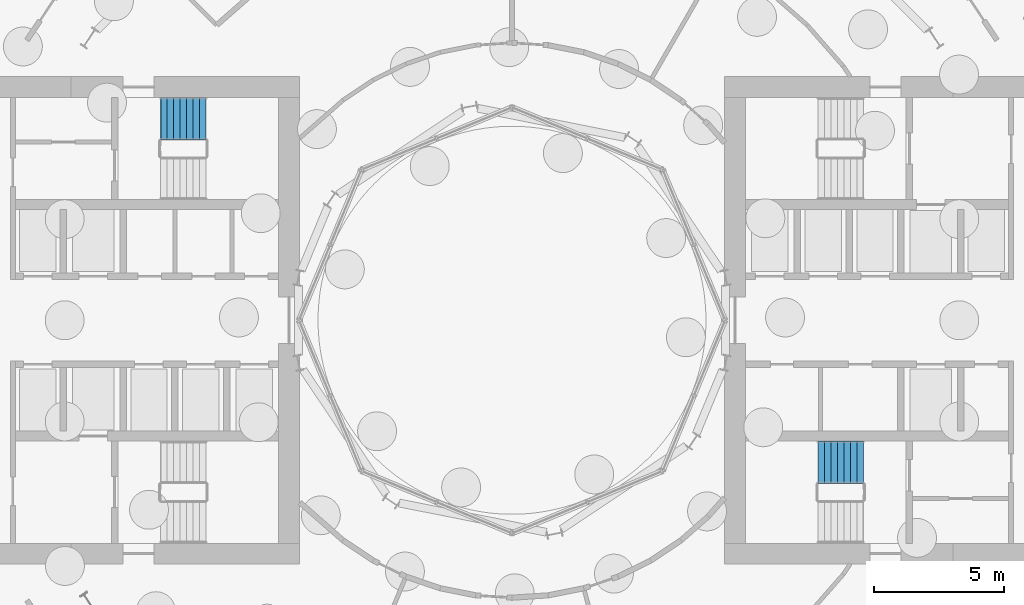
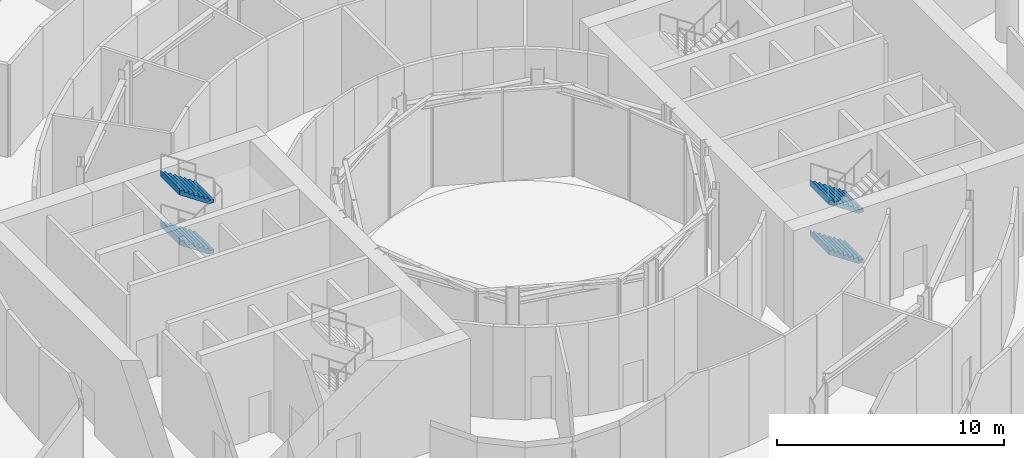
# One storey, part 34 of 41: 4 stair flights, 2 elements without a shape of their own.
"""IFC4 building model written with IfcOpenShell, lengths in metres."""

from ifc_helpers import new_model, si_unit, direction, frame, origin, place, context, subcontext, project, spatial, triangles, material, type_object, element, aggregate, save


model = new_model("IFC4")

# Units and contexts
model_context = context("Model", 3, precision=1e-05, world=origin(), true_north=direction((0.0, 1.0)))
body_context = subcontext(model_context, "Body", "Model", "MODEL_VIEW")
ifc_project = project(units=[si_unit("LENGTHUNIT", "METRE"), si_unit("AREAUNIT", "SQUARE_METRE"), si_unit("VOLUMEUNIT", "CUBIC_METRE"), si_unit("PLANEANGLEUNIT", "RADIAN"), si_unit("MASSUNIT", "GRAM", prefix="KILO")], contexts=[model_context])

# Site, building, storey
site_placement = place(None, origin())
site = spatial("IfcSite", under=ifc_project, at=site_placement, CompositionType="ELEMENT")
building_placement = place(site_placement, origin())
building = spatial("IfcBuilding", under=site, at=building_placement, Name="Maasbend Ring Residences", CompositionType="ELEMENT")
storey_placement = place(building_placement, origin())
storey = spatial("IfcBuildingStorey", under=building, at=storey_placement, Name="L00", CompositionType="ELEMENT", Elevation=0.0)

# Stair, stair flights
ifc_material_1 = material(Name="Concrete C40/50", Category="concrete")
stair_type = type_object("IfcStairType", Name="CORE STAIR 32 RISERS", PredefinedType="HALF_TURN_STAIR", material=ifc_material_1)
stair_1_placement = place(storey_placement, origin())
stair_1 = element("IfcStair", 1, at=stair_1_placement, inside=storey, type_object=stair_type, Name="L00 Exit stair ST-E2", PredefinedType="HALF_TURN_STAIR")
ifc_material_2 = material(Name="Concrete C40/50", Category="concrete")
stair_flight_type = type_object("IfcStairFlightType", Name="CORE STAIR FLIGHT 1650", PredefinedType="STRAIGHT", material=ifc_material_2)
stair_flight_1_placement = place(storey_placement, frame((13.550048828125, -5.47509765625, 0.0), z_axis=(0.0, 0.0, 1.0), x_axis=(-1.0, 0.0, 0.0)))
stair_flight_1 = element("IfcStairFlight", 2, at=stair_flight_1_placement, type_object=stair_flight_type, Name="ST-E2 flight 1", NumberOfRisers=8, NumberOfTreads=7, PredefinedType="STRAIGHT", RiserHeight=0.16875, TreadLength=0.25, context=body_context, shape_type="Tessellation", body=[
    triangles([(0.2412109375, 0.824951171875, -0.02001953125), (1.7529296875, 0.824951171875, 1.00048828125), (1.7529296875, 0.824951171875, 1.35009765625), (1.739990234375, 0.824951171875, 1.18115234375), (1.5, 0.824951171875, 1.18115234375), (1.5, 0.824951171875, 1.012451171875), (1.25, 0.824951171875, 1.012451171875), (1.25, 0.824951171875, 0.84375), (1.0, 0.824951171875, 0.84375), (1.0, 0.824951171875, 0.675048828125), (0.75, 0.824951171875, 0.675048828125), (0.75, 0.824951171875, 0.50634765625), (0.5, 0.824951171875, 0.50634765625), (0.5, 0.824951171875, 0.33740234375), (0.25, 0.824951171875, 0.33740234375), (0.25, 0.824951171875, 0.168701171875), (0.0, 0.824951171875, 0.168701171875), (0.0, 0.824951171875, 0.0), (-0.0029296875, 0.824951171875, 0.0), (-0.0029296875, 0.824951171875, -0.02001953125), (0.2412109375, 0.41259765625, -0.02001953125), (1.7529296875, 0.41259765625, 1.00048828125), (1.7529296875, 0.41259765625, 1.35009765625), (1.739990234375, 0.41259765625, 1.18115234375), (1.5, 0.41259765625, 1.18115234375), (1.5, 0.41259765625, 1.012451171875), (1.25, 0.41259765625, 1.012451171875), (1.25, 0.41259765625, 0.84375), (1.0, 0.41259765625, 0.84375), (1.0, 0.41259765625, 0.675048828125), (0.75, 0.41259765625, 0.675048828125), (0.75, 0.41259765625, 0.50634765625), (0.5, 0.41259765625, 0.50634765625), (0.5, 0.41259765625, 0.33740234375), (0.25, 0.41259765625, 0.33740234375), (0.25, 0.41259765625, 0.168701171875), (0.0, 0.41259765625, 0.168701171875), (0.0, 0.41259765625, 0.0), (-0.0029296875, 0.41259765625, 0.0), (-0.0029296875, 0.41259765625, -0.02001953125), (0.2412109375, 0.0, -0.02001953125), (1.7529296875, 0.0, 1.00048828125), (1.7529296875, 0.0, 1.35009765625), (1.739990234375, 0.0, 1.18115234375), (1.5, 0.0, 1.18115234375), (1.5, 0.0, 1.012451171875), (1.25, 0.0, 1.012451171875), (1.25, 0.0, 0.84375), (1.0, 0.0, 0.84375), (1.0, 0.0, 0.675048828125), (0.75, 0.0, 0.675048828125), (0.75, 0.0, 0.50634765625), (0.5, 0.0, 0.50634765625), (0.5, 0.0, 0.33740234375), (0.25, 0.0, 0.33740234375), (0.25, 0.0, 0.168701171875), (0.0, 0.0, 0.168701171875), (0.0, 0.0, 0.0), (-0.0029296875, 0.0, 0.0), (-0.0029296875, 0.0, -0.02001953125), (0.2412109375, -0.41259765625, -0.02001953125), (1.7529296875, -0.41259765625, 1.00048828125), (1.7529296875, -0.41259765625, 1.35009765625), (1.739990234375, -0.41259765625, 1.18115234375), (1.5, -0.41259765625, 1.18115234375), (1.5, -0.41259765625, 1.012451171875), (1.25, -0.41259765625, 1.012451171875), (1.25, -0.41259765625, 0.84375), (1.0, -0.41259765625, 0.84375), (1.0, -0.41259765625, 0.675048828125), (0.75, -0.41259765625, 0.675048828125), (0.75, -0.41259765625, 0.50634765625), (0.5, -0.41259765625, 0.50634765625), (0.5, -0.41259765625, 0.33740234375), (0.25, -0.41259765625, 0.33740234375), (0.25, -0.41259765625, 0.168701171875), (0.0, -0.41259765625, 0.168701171875), (0.0, -0.41259765625, 0.0), (-0.0029296875, -0.41259765625, 0.0), (-0.0029296875, -0.41259765625, -0.02001953125), (0.2412109375, -0.824951171875, -0.02001953125), (1.7529296875, -0.824951171875, 1.00048828125), (1.7529296875, -0.824951171875, 1.35009765625), (1.739990234375, -0.824951171875, 1.18115234375), (1.5, -0.824951171875, 1.18115234375), (1.5, -0.824951171875, 1.012451171875), (1.25, -0.824951171875, 1.012451171875), (1.25, -0.824951171875, 0.84375), (1.0, -0.824951171875, 0.84375), (1.0, -0.824951171875, 0.675048828125), (0.75, -0.824951171875, 0.675048828125), (0.75, -0.824951171875, 0.50634765625), (0.5, -0.824951171875, 0.50634765625), (0.5, -0.824951171875, 0.33740234375), (0.25, -0.824951171875, 0.33740234375), (0.25, -0.824951171875, 0.168701171875), (0.0, -0.824951171875, 0.168701171875), (0.0, -0.824951171875, 0.0), (-0.0029296875, -0.824951171875, 0.0), (-0.0029296875, -0.824951171875, -0.02001953125)], [[1, 2, 22], [1, 22, 21], [21, 22, 42], [21, 42, 41], [41, 42, 62], [41, 62, 61], [61, 62, 82], [61, 82, 81], [2, 3, 23], [2, 23, 22], [22, 23, 43], [22, 43, 42], [42, 43, 63], [42, 63, 62], [62, 63, 83], [62, 83, 82], [3, 4, 24], [3, 24, 23], [23, 24, 44], [23, 44, 43], [43, 44, 64], [43, 64, 63], [63, 64, 84], [63, 84, 83], [4, 5, 25], [4, 25, 24], [24, 25, 45], [24, 45, 44], [44, 45, 65], [44, 65, 64], [64, 65, 85], [64, 85, 84], [5, 6, 26], [5, 26, 25], [25, 26, 46], [25, 46, 45], [45, 46, 66], [45, 66, 65], [65, 66, 86], [65, 86, 85], [6, 7, 27], [6, 27, 26], [26, 27, 47], [26, 47, 46], [46, 47, 67], [46, 67, 66], [66, 67, 87], [66, 87, 86], [7, 8, 28], [7, 28, 27], [27, 28, 48], [27, 48, 47], [47, 48, 68], [47, 68, 67], [67, 68, 88], [67, 88, 87], [8, 9, 29], [8, 29, 28], [28, 29, 49], [28, 49, 48], [48, 49, 69], [48, 69, 68], [68, 69, 89], [68, 89, 88], [9, 10, 30], [9, 30, 29], [29, 30, 50], [29, 50, 49], [49, 50, 70], [49, 70, 69], [69, 70, 90], [69, 90, 89], [10, 11, 31], [10, 31, 30], [30, 31, 51], [30, 51, 50], [50, 51, 71], [50, 71, 70], [70, 71, 91], [70, 91, 90], [11, 12, 32], [11, 32, 31], [31, 32, 52], [31, 52, 51], [51, 52, 72], [51, 72, 71], [71, 72, 92], [71, 92, 91], [12, 13, 33], [12, 33, 32], [32, 33, 53], [32, 53, 52], [52, 53, 73], [52, 73, 72], [72, 73, 93], [72, 93, 92], [13, 14, 34], [13, 34, 33], [33, 34, 54], [33, 54, 53], [53, 54, 74], [53, 74, 73], [73, 74, 94], [73, 94, 93], [14, 15, 35], [14, 35, 34], [34, 35, 55], [34, 55, 54], [54, 55, 75], [54, 75, 74], [74, 75, 95], [74, 95, 94], [15, 16, 36], [15, 36, 35], [35, 36, 56], [35, 56, 55], [55, 56, 76], [55, 76, 75], [75, 76, 96], [75, 96, 95], [16, 17, 37], [16, 37, 36], [36, 37, 57], [36, 57, 56], [56, 57, 77], [56, 77, 76], [76, 77, 97], [76, 97, 96], [17, 18, 38], [17, 38, 37], [37, 38, 58], [37, 58, 57], [57, 58, 78], [57, 78, 77], [77, 78, 98], [77, 98, 97], [18, 19, 39], [18, 39, 38], [38, 39, 59], [38, 59, 58], [58, 59, 79], [58, 79, 78], [78, 79, 99], [78, 99, 98], [19, 20, 40], [19, 40, 39], [39, 40, 60], [39, 60, 59], [59, 60, 80], [59, 80, 79], [79, 80, 100], [79, 100, 99], [20, 1, 21], [20, 21, 40], [40, 21, 41], [40, 41, 60], [60, 41, 61], [60, 61, 80], [80, 61, 81], [80, 81, 100], [20, 2, 1], [2, 4, 3], [2, 5, 4], [2, 6, 5], [20, 6, 2], [6, 8, 7], [20, 8, 6], [8, 10, 9], [20, 10, 8], [10, 12, 11], [20, 12, 10], [12, 14, 13], [20, 14, 12], [14, 16, 15], [20, 16, 14], [16, 18, 17], [20, 18, 16], [18, 20, 19], [100, 81, 82], [82, 83, 84], [82, 84, 85], [82, 85, 86], [100, 82, 86], [86, 87, 88], [100, 86, 88], [88, 89, 90], [100, 88, 90], [90, 91, 92], [100, 90, 92], [92, 93, 94], [100, 92, 94], [94, 95, 96], [100, 94, 96], [96, 97, 98], [100, 96, 98], [98, 99, 100]], closed=True),
])
stair_flight_2_placement = place(storey_placement, frame((13.550048828125, -5.47509765625, 2.699951171875), z_axis=(0.0, 0.0, 1.0), x_axis=(-1.0, 0.0, 0.0)))
stair_flight_2 = element("IfcStairFlight", 3, at=stair_flight_2_placement, type_object=stair_flight_type, Name="ST-E2 flight 3", NumberOfRisers=8, NumberOfTreads=7, PredefinedType="STRAIGHT", RiserHeight=0.16875, TreadLength=0.25, context=body_context, shape_type="Tessellation", body=[
    triangles([(0.2412109375, 0.824951171875, -0.02001953125), (1.7529296875, 0.824951171875, 1.00048828125), (1.7529296875, 0.824951171875, 1.35009765625), (1.739990234375, 0.824951171875, 1.18115234375), (1.5, 0.824951171875, 1.18115234375), (1.5, 0.824951171875, 1.012451171875), (1.25, 0.824951171875, 1.012451171875), (1.25, 0.824951171875, 0.84375), (1.0, 0.824951171875, 0.84375), (1.0, 0.824951171875, 0.675048828125), (0.75, 0.824951171875, 0.675048828125), (0.75, 0.824951171875, 0.50634765625), (0.5, 0.824951171875, 0.50634765625), (0.5, 0.824951171875, 0.33740234375), (0.25, 0.824951171875, 0.33740234375), (0.25, 0.824951171875, 0.168701171875), (0.0, 0.824951171875, 0.168701171875), (0.0, 0.824951171875, 0.0), (-0.0029296875, 0.824951171875, 0.0), (-0.0029296875, 0.824951171875, -0.02001953125), (0.2412109375, 0.41259765625, -0.02001953125), (1.7529296875, 0.41259765625, 1.00048828125), (1.7529296875, 0.41259765625, 1.35009765625), (1.739990234375, 0.41259765625, 1.18115234375), (1.5, 0.41259765625, 1.18115234375), (1.5, 0.41259765625, 1.012451171875), (1.25, 0.41259765625, 1.012451171875), (1.25, 0.41259765625, 0.84375), (1.0, 0.41259765625, 0.84375), (1.0, 0.41259765625, 0.675048828125), (0.75, 0.41259765625, 0.675048828125), (0.75, 0.41259765625, 0.50634765625), (0.5, 0.41259765625, 0.50634765625), (0.5, 0.41259765625, 0.33740234375), (0.25, 0.41259765625, 0.33740234375), (0.25, 0.41259765625, 0.168701171875), (0.0, 0.41259765625, 0.168701171875), (0.0, 0.41259765625, 0.0), (-0.0029296875, 0.41259765625, 0.0), (-0.0029296875, 0.41259765625, -0.02001953125), (0.2412109375, 0.0, -0.02001953125), (1.7529296875, 0.0, 1.00048828125), (1.7529296875, 0.0, 1.35009765625), (1.739990234375, 0.0, 1.18115234375), (1.5, 0.0, 1.18115234375), (1.5, 0.0, 1.012451171875), (1.25, 0.0, 1.012451171875), (1.25, 0.0, 0.84375), (1.0, 0.0, 0.84375), (1.0, 0.0, 0.675048828125), (0.75, 0.0, 0.675048828125), (0.75, 0.0, 0.50634765625), (0.5, 0.0, 0.50634765625), (0.5, 0.0, 0.33740234375), (0.25, 0.0, 0.33740234375), (0.25, 0.0, 0.168701171875), (0.0, 0.0, 0.168701171875), (0.0, 0.0, 0.0), (-0.0029296875, 0.0, 0.0), (-0.0029296875, 0.0, -0.02001953125), (0.2412109375, -0.41259765625, -0.02001953125), (1.7529296875, -0.41259765625, 1.00048828125), (1.7529296875, -0.41259765625, 1.35009765625), (1.739990234375, -0.41259765625, 1.18115234375), (1.5, -0.41259765625, 1.18115234375), (1.5, -0.41259765625, 1.012451171875), (1.25, -0.41259765625, 1.012451171875), (1.25, -0.41259765625, 0.84375), (1.0, -0.41259765625, 0.84375), (1.0, -0.41259765625, 0.675048828125), (0.75, -0.41259765625, 0.675048828125), (0.75, -0.41259765625, 0.50634765625), (0.5, -0.41259765625, 0.50634765625), (0.5, -0.41259765625, 0.33740234375), (0.25, -0.41259765625, 0.33740234375), (0.25, -0.41259765625, 0.168701171875), (0.0, -0.41259765625, 0.168701171875), (0.0, -0.41259765625, 0.0), (-0.0029296875, -0.41259765625, 0.0), (-0.0029296875, -0.41259765625, -0.02001953125), (0.2412109375, -0.824951171875, -0.02001953125), (1.7529296875, -0.824951171875, 1.00048828125), (1.7529296875, -0.824951171875, 1.35009765625), (1.739990234375, -0.824951171875, 1.18115234375), (1.5, -0.824951171875, 1.18115234375), (1.5, -0.824951171875, 1.012451171875), (1.25, -0.824951171875, 1.012451171875), (1.25, -0.824951171875, 0.84375), (1.0, -0.824951171875, 0.84375), (1.0, -0.824951171875, 0.675048828125), (0.75, -0.824951171875, 0.675048828125), (0.75, -0.824951171875, 0.50634765625), (0.5, -0.824951171875, 0.50634765625), (0.5, -0.824951171875, 0.33740234375), (0.25, -0.824951171875, 0.33740234375), (0.25, -0.824951171875, 0.168701171875), (0.0, -0.824951171875, 0.168701171875), (0.0, -0.824951171875, 0.0), (-0.0029296875, -0.824951171875, 0.0), (-0.0029296875, -0.824951171875, -0.02001953125)], [[1, 2, 22], [1, 22, 21], [21, 22, 42], [21, 42, 41], [41, 42, 62], [41, 62, 61], [61, 62, 82], [61, 82, 81], [2, 3, 23], [2, 23, 22], [22, 23, 43], [22, 43, 42], [42, 43, 63], [42, 63, 62], [62, 63, 83], [62, 83, 82], [3, 4, 24], [3, 24, 23], [23, 24, 44], [23, 44, 43], [43, 44, 64], [43, 64, 63], [63, 64, 84], [63, 84, 83], [4, 5, 25], [4, 25, 24], [24, 25, 45], [24, 45, 44], [44, 45, 65], [44, 65, 64], [64, 65, 85], [64, 85, 84], [5, 6, 26], [5, 26, 25], [25, 26, 46], [25, 46, 45], [45, 46, 66], [45, 66, 65], [65, 66, 86], [65, 86, 85], [6, 7, 27], [6, 27, 26], [26, 27, 47], [26, 47, 46], [46, 47, 67], [46, 67, 66], [66, 67, 87], [66, 87, 86], [7, 8, 28], [7, 28, 27], [27, 28, 48], [27, 48, 47], [47, 48, 68], [47, 68, 67], [67, 68, 88], [67, 88, 87], [8, 9, 29], [8, 29, 28], [28, 29, 49], [28, 49, 48], [48, 49, 69], [48, 69, 68], [68, 69, 89], [68, 89, 88], [9, 10, 30], [9, 30, 29], [29, 30, 50], [29, 50, 49], [49, 50, 70], [49, 70, 69], [69, 70, 90], [69, 90, 89], [10, 11, 31], [10, 31, 30], [30, 31, 51], [30, 51, 50], [50, 51, 71], [50, 71, 70], [70, 71, 91], [70, 91, 90], [11, 12, 32], [11, 32, 31], [31, 32, 52], [31, 52, 51], [51, 52, 72], [51, 72, 71], [71, 72, 92], [71, 92, 91], [12, 13, 33], [12, 33, 32], [32, 33, 53], [32, 53, 52], [52, 53, 73], [52, 73, 72], [72, 73, 93], [72, 93, 92], [13, 14, 34], [13, 34, 33], [33, 34, 54], [33, 54, 53], [53, 54, 74], [53, 74, 73], [73, 74, 94], [73, 94, 93], [14, 15, 35], [14, 35, 34], [34, 35, 55], [34, 55, 54], [54, 55, 75], [54, 75, 74], [74, 75, 95], [74, 95, 94], [15, 16, 36], [15, 36, 35], [35, 36, 56], [35, 56, 55], [55, 56, 76], [55, 76, 75], [75, 76, 96], [75, 96, 95], [16, 17, 37], [16, 37, 36], [36, 37, 57], [36, 57, 56], [56, 57, 77], [56, 77, 76], [76, 77, 97], [76, 97, 96], [17, 18, 38], [17, 38, 37], [37, 38, 58], [37, 58, 57], [57, 58, 78], [57, 78, 77], [77, 78, 98], [77, 98, 97], [18, 19, 39], [18, 39, 38], [38, 39, 59], [38, 59, 58], [58, 59, 79], [58, 79, 78], [78, 79, 99], [78, 99, 98], [19, 20, 40], [19, 40, 39], [39, 40, 60], [39, 60, 59], [59, 60, 80], [59, 80, 79], [79, 80, 100], [79, 100, 99], [20, 1, 21], [20, 21, 40], [40, 21, 41], [40, 41, 60], [60, 41, 61], [60, 61, 80], [80, 61, 81], [80, 81, 100], [20, 2, 1], [2, 4, 3], [2, 5, 4], [2, 6, 5], [20, 6, 2], [6, 8, 7], [20, 8, 6], [8, 10, 9], [20, 10, 8], [10, 12, 11], [20, 12, 10], [12, 14, 13], [20, 14, 12], [14, 16, 15], [20, 16, 14], [16, 18, 17], [20, 18, 16], [18, 20, 19], [100, 81, 82], [82, 83, 84], [82, 84, 85], [82, 85, 86], [100, 82, 86], [86, 87, 88], [100, 86, 88], [88, 89, 90], [100, 88, 90], [90, 91, 92], [100, 90, 92], [92, 93, 94], [100, 92, 94], [94, 95, 96], [100, 94, 96], [96, 97, 98], [100, 96, 98], [98, 99, 100]], closed=True),
])
aggregate(stair_1, [stair_flight_1, stair_flight_2])

stair_2_placement = place(storey_placement, origin())
stair_2 = element("IfcStair", 4, at=stair_2_placement, inside=storey, type_object=stair_type, Name="L00 Exit stair ST-W2", PredefinedType="HALF_TURN_STAIR")
stair_flight_3_placement = place(storey_placement, frame((-11.800048828125, 7.77490234375, 1.35009765625), z_axis=(0.0, 0.0, 1.0), x_axis=(-1.0, 0.0, 0.0)))
stair_flight_3 = element("IfcStairFlight", 5, at=stair_flight_3_placement, type_object=stair_flight_type, Name="ST-W2 flight 2", NumberOfRisers=8, NumberOfTreads=7, PredefinedType="STRAIGHT", RiserHeight=0.16875, TreadLength=0.25, context=body_context, shape_type="Tessellation", body=[
    triangles([(0.2412109375, 0.824951171875, -0.02001953125), (1.7529296875, 0.824951171875, 1.00048828125), (1.7529296875, 0.824951171875, 1.35009765625), (1.739990234375, 0.824951171875, 1.18115234375), (1.5, 0.824951171875, 1.18115234375), (1.5, 0.824951171875, 1.012451171875), (1.25, 0.824951171875, 1.012451171875), (1.25, 0.824951171875, 0.84375), (1.0, 0.824951171875, 0.84375), (1.0, 0.824951171875, 0.675048828125), (0.75, 0.824951171875, 0.675048828125), (0.75, 0.824951171875, 0.50634765625), (0.5, 0.824951171875, 0.50634765625), (0.5, 0.824951171875, 0.33740234375), (0.25, 0.824951171875, 0.33740234375), (0.25, 0.824951171875, 0.168701171875), (0.0, 0.824951171875, 0.168701171875), (0.0, 0.824951171875, 0.0), (-0.0029296875, 0.824951171875, 0.0), (-0.0029296875, 0.824951171875, -0.02001953125), (0.2412109375, 0.41259765625, -0.02001953125), (1.7529296875, 0.41259765625, 1.00048828125), (1.7529296875, 0.41259765625, 1.35009765625), (1.739990234375, 0.41259765625, 1.18115234375), (1.5, 0.41259765625, 1.18115234375), (1.5, 0.41259765625, 1.012451171875), (1.25, 0.41259765625, 1.012451171875), (1.25, 0.41259765625, 0.84375), (1.0, 0.41259765625, 0.84375), (1.0, 0.41259765625, 0.675048828125), (0.75, 0.41259765625, 0.675048828125), (0.75, 0.41259765625, 0.50634765625), (0.5, 0.41259765625, 0.50634765625), (0.5, 0.41259765625, 0.33740234375), (0.25, 0.41259765625, 0.33740234375), (0.25, 0.41259765625, 0.168701171875), (0.0, 0.41259765625, 0.168701171875), (0.0, 0.41259765625, 0.0), (-0.0029296875, 0.41259765625, 0.0), (-0.0029296875, 0.41259765625, -0.02001953125), (0.2412109375, 0.0, -0.02001953125), (1.7529296875, 0.0, 1.00048828125), (1.7529296875, 0.0, 1.35009765625), (1.739990234375, 0.0, 1.18115234375), (1.5, 0.0, 1.18115234375), (1.5, 0.0, 1.012451171875), (1.25, 0.0, 1.012451171875), (1.25, 0.0, 0.84375), (1.0, 0.0, 0.84375), (1.0, 0.0, 0.675048828125), (0.75, 0.0, 0.675048828125), (0.75, 0.0, 0.50634765625), (0.5, 0.0, 0.50634765625), (0.5, 0.0, 0.33740234375), (0.25, 0.0, 0.33740234375), (0.25, 0.0, 0.168701171875), (0.0, 0.0, 0.168701171875), (0.0, 0.0, 0.0), (-0.0029296875, 0.0, 0.0), (-0.0029296875, 0.0, -0.02001953125), (0.2412109375, -0.41259765625, -0.02001953125), (1.7529296875, -0.41259765625, 1.00048828125), (1.7529296875, -0.41259765625, 1.35009765625), (1.739990234375, -0.41259765625, 1.18115234375), (1.5, -0.41259765625, 1.18115234375), (1.5, -0.41259765625, 1.012451171875), (1.25, -0.41259765625, 1.012451171875), (1.25, -0.41259765625, 0.84375), (1.0, -0.41259765625, 0.84375), (1.0, -0.41259765625, 0.675048828125), (0.75, -0.41259765625, 0.675048828125), (0.75, -0.41259765625, 0.50634765625), (0.5, -0.41259765625, 0.50634765625), (0.5, -0.41259765625, 0.33740234375), (0.25, -0.41259765625, 0.33740234375), (0.25, -0.41259765625, 0.168701171875), (0.0, -0.41259765625, 0.168701171875), (0.0, -0.41259765625, 0.0), (-0.0029296875, -0.41259765625, 0.0), (-0.0029296875, -0.41259765625, -0.02001953125), (0.2412109375, -0.824951171875, -0.02001953125), (1.7529296875, -0.824951171875, 1.00048828125), (1.7529296875, -0.824951171875, 1.35009765625), (1.739990234375, -0.824951171875, 1.18115234375), (1.5, -0.824951171875, 1.18115234375), (1.5, -0.824951171875, 1.012451171875), (1.25, -0.824951171875, 1.012451171875), (1.25, -0.824951171875, 0.84375), (1.0, -0.824951171875, 0.84375), (1.0, -0.824951171875, 0.675048828125), (0.75, -0.824951171875, 0.675048828125), (0.75, -0.824951171875, 0.50634765625), (0.5, -0.824951171875, 0.50634765625), (0.5, -0.824951171875, 0.33740234375), (0.25, -0.824951171875, 0.33740234375), (0.25, -0.824951171875, 0.168701171875), (0.0, -0.824951171875, 0.168701171875), (0.0, -0.824951171875, 0.0), (-0.0029296875, -0.824951171875, 0.0), (-0.0029296875, -0.824951171875, -0.02001953125)], [[1, 2, 22], [1, 22, 21], [21, 22, 42], [21, 42, 41], [41, 42, 62], [41, 62, 61], [61, 62, 82], [61, 82, 81], [2, 3, 23], [2, 23, 22], [22, 23, 43], [22, 43, 42], [42, 43, 63], [42, 63, 62], [62, 63, 83], [62, 83, 82], [3, 4, 24], [3, 24, 23], [23, 24, 44], [23, 44, 43], [43, 44, 64], [43, 64, 63], [63, 64, 84], [63, 84, 83], [4, 5, 25], [4, 25, 24], [24, 25, 45], [24, 45, 44], [44, 45, 65], [44, 65, 64], [64, 65, 85], [64, 85, 84], [5, 6, 26], [5, 26, 25], [25, 26, 46], [25, 46, 45], [45, 46, 66], [45, 66, 65], [65, 66, 86], [65, 86, 85], [6, 7, 27], [6, 27, 26], [26, 27, 47], [26, 47, 46], [46, 47, 67], [46, 67, 66], [66, 67, 87], [66, 87, 86], [7, 8, 28], [7, 28, 27], [27, 28, 48], [27, 48, 47], [47, 48, 68], [47, 68, 67], [67, 68, 88], [67, 88, 87], [8, 9, 29], [8, 29, 28], [28, 29, 49], [28, 49, 48], [48, 49, 69], [48, 69, 68], [68, 69, 89], [68, 89, 88], [9, 10, 30], [9, 30, 29], [29, 30, 50], [29, 50, 49], [49, 50, 70], [49, 70, 69], [69, 70, 90], [69, 90, 89], [10, 11, 31], [10, 31, 30], [30, 31, 51], [30, 51, 50], [50, 51, 71], [50, 71, 70], [70, 71, 91], [70, 91, 90], [11, 12, 32], [11, 32, 31], [31, 32, 52], [31, 52, 51], [51, 52, 72], [51, 72, 71], [71, 72, 92], [71, 92, 91], [12, 13, 33], [12, 33, 32], [32, 33, 53], [32, 53, 52], [52, 53, 73], [52, 73, 72], [72, 73, 93], [72, 93, 92], [13, 14, 34], [13, 34, 33], [33, 34, 54], [33, 54, 53], [53, 54, 74], [53, 74, 73], [73, 74, 94], [73, 94, 93], [14, 15, 35], [14, 35, 34], [34, 35, 55], [34, 55, 54], [54, 55, 75], [54, 75, 74], [74, 75, 95], [74, 95, 94], [15, 16, 36], [15, 36, 35], [35, 36, 56], [35, 56, 55], [55, 56, 76], [55, 76, 75], [75, 76, 96], [75, 96, 95], [16, 17, 37], [16, 37, 36], [36, 37, 57], [36, 57, 56], [56, 57, 77], [56, 77, 76], [76, 77, 97], [76, 97, 96], [17, 18, 38], [17, 38, 37], [37, 38, 58], [37, 58, 57], [57, 58, 78], [57, 78, 77], [77, 78, 98], [77, 98, 97], [18, 19, 39], [18, 39, 38], [38, 39, 59], [38, 59, 58], [58, 59, 79], [58, 79, 78], [78, 79, 99], [78, 99, 98], [19, 20, 40], [19, 40, 39], [39, 40, 60], [39, 60, 59], [59, 60, 80], [59, 80, 79], [79, 80, 100], [79, 100, 99], [20, 1, 21], [20, 21, 40], [40, 21, 41], [40, 41, 60], [60, 41, 61], [60, 61, 80], [80, 61, 81], [80, 81, 100], [20, 2, 1], [2, 4, 3], [2, 5, 4], [2, 6, 5], [20, 6, 2], [6, 8, 7], [20, 8, 6], [8, 10, 9], [20, 10, 8], [10, 12, 11], [20, 12, 10], [12, 14, 13], [20, 14, 12], [14, 16, 15], [20, 16, 14], [16, 18, 17], [20, 18, 16], [18, 20, 19], [100, 81, 82], [82, 83, 84], [82, 84, 85], [82, 85, 86], [100, 82, 86], [86, 87, 88], [100, 86, 88], [88, 89, 90], [100, 88, 90], [90, 91, 92], [100, 90, 92], [92, 93, 94], [100, 92, 94], [94, 95, 96], [100, 94, 96], [96, 97, 98], [100, 96, 98], [98, 99, 100]], closed=True),
])
stair_flight_4_placement = place(storey_placement, frame((-11.800048828125, 7.77490234375, 4.050048828125), z_axis=(0.0, 0.0, 1.0), x_axis=(-1.0, 0.0, 0.0)))
stair_flight_4 = element("IfcStairFlight", 6, at=stair_flight_4_placement, type_object=stair_flight_type, Name="ST-W2 flight 4", NumberOfRisers=8, NumberOfTreads=7, PredefinedType="STRAIGHT", RiserHeight=0.16875, TreadLength=0.25, context=body_context, shape_type="Tessellation", body=[
    triangles([(0.2412109375, 0.824951171875, -0.02001953125), (1.7529296875, 0.824951171875, 1.00048828125), (1.7529296875, 0.824951171875, 1.35009765625), (1.739990234375, 0.824951171875, 1.18115234375), (1.5, 0.824951171875, 1.18115234375), (1.5, 0.824951171875, 1.012451171875), (1.25, 0.824951171875, 1.012451171875), (1.25, 0.824951171875, 0.84375), (1.0, 0.824951171875, 0.84375), (1.0, 0.824951171875, 0.675048828125), (0.75, 0.824951171875, 0.675048828125), (0.75, 0.824951171875, 0.50634765625), (0.5, 0.824951171875, 0.50634765625), (0.5, 0.824951171875, 0.33740234375), (0.25, 0.824951171875, 0.33740234375), (0.25, 0.824951171875, 0.168701171875), (0.0, 0.824951171875, 0.168701171875), (0.0, 0.824951171875, 0.0), (-0.0029296875, 0.824951171875, 0.0), (-0.0029296875, 0.824951171875, -0.02001953125), (0.2412109375, 0.41259765625, -0.02001953125), (1.7529296875, 0.41259765625, 1.00048828125), (1.7529296875, 0.41259765625, 1.35009765625), (1.739990234375, 0.41259765625, 1.18115234375), (1.5, 0.41259765625, 1.18115234375), (1.5, 0.41259765625, 1.012451171875), (1.25, 0.41259765625, 1.012451171875), (1.25, 0.41259765625, 0.84375), (1.0, 0.41259765625, 0.84375), (1.0, 0.41259765625, 0.675048828125), (0.75, 0.41259765625, 0.675048828125), (0.75, 0.41259765625, 0.50634765625), (0.5, 0.41259765625, 0.50634765625), (0.5, 0.41259765625, 0.33740234375), (0.25, 0.41259765625, 0.33740234375), (0.25, 0.41259765625, 0.168701171875), (0.0, 0.41259765625, 0.168701171875), (0.0, 0.41259765625, 0.0), (-0.0029296875, 0.41259765625, 0.0), (-0.0029296875, 0.41259765625, -0.02001953125), (0.2412109375, 0.0, -0.02001953125), (1.7529296875, 0.0, 1.00048828125), (1.7529296875, 0.0, 1.35009765625), (1.739990234375, 0.0, 1.18115234375), (1.5, 0.0, 1.18115234375), (1.5, 0.0, 1.012451171875), (1.25, 0.0, 1.012451171875), (1.25, 0.0, 0.84375), (1.0, 0.0, 0.84375), (1.0, 0.0, 0.675048828125), (0.75, 0.0, 0.675048828125), (0.75, 0.0, 0.50634765625), (0.5, 0.0, 0.50634765625), (0.5, 0.0, 0.33740234375), (0.25, 0.0, 0.33740234375), (0.25, 0.0, 0.168701171875), (0.0, 0.0, 0.168701171875), (0.0, 0.0, 0.0), (-0.0029296875, 0.0, 0.0), (-0.0029296875, 0.0, -0.02001953125), (0.2412109375, -0.41259765625, -0.02001953125), (1.7529296875, -0.41259765625, 1.00048828125), (1.7529296875, -0.41259765625, 1.35009765625), (1.739990234375, -0.41259765625, 1.18115234375), (1.5, -0.41259765625, 1.18115234375), (1.5, -0.41259765625, 1.012451171875), (1.25, -0.41259765625, 1.012451171875), (1.25, -0.41259765625, 0.84375), (1.0, -0.41259765625, 0.84375), (1.0, -0.41259765625, 0.675048828125), (0.75, -0.41259765625, 0.675048828125), (0.75, -0.41259765625, 0.50634765625), (0.5, -0.41259765625, 0.50634765625), (0.5, -0.41259765625, 0.33740234375), (0.25, -0.41259765625, 0.33740234375), (0.25, -0.41259765625, 0.168701171875), (0.0, -0.41259765625, 0.168701171875), (0.0, -0.41259765625, 0.0), (-0.0029296875, -0.41259765625, 0.0), (-0.0029296875, -0.41259765625, -0.02001953125), (0.2412109375, -0.824951171875, -0.02001953125), (1.7529296875, -0.824951171875, 1.00048828125), (1.7529296875, -0.824951171875, 1.35009765625), (1.739990234375, -0.824951171875, 1.18115234375), (1.5, -0.824951171875, 1.18115234375), (1.5, -0.824951171875, 1.012451171875), (1.25, -0.824951171875, 1.012451171875), (1.25, -0.824951171875, 0.84375), (1.0, -0.824951171875, 0.84375), (1.0, -0.824951171875, 0.675048828125), (0.75, -0.824951171875, 0.675048828125), (0.75, -0.824951171875, 0.50634765625), (0.5, -0.824951171875, 0.50634765625), (0.5, -0.824951171875, 0.33740234375), (0.25, -0.824951171875, 0.33740234375), (0.25, -0.824951171875, 0.168701171875), (0.0, -0.824951171875, 0.168701171875), (0.0, -0.824951171875, 0.0), (-0.0029296875, -0.824951171875, 0.0), (-0.0029296875, -0.824951171875, -0.02001953125)], [[1, 2, 22], [1, 22, 21], [21, 22, 42], [21, 42, 41], [41, 42, 62], [41, 62, 61], [61, 62, 82], [61, 82, 81], [2, 3, 23], [2, 23, 22], [22, 23, 43], [22, 43, 42], [42, 43, 63], [42, 63, 62], [62, 63, 83], [62, 83, 82], [3, 4, 24], [3, 24, 23], [23, 24, 44], [23, 44, 43], [43, 44, 64], [43, 64, 63], [63, 64, 84], [63, 84, 83], [4, 5, 25], [4, 25, 24], [24, 25, 45], [24, 45, 44], [44, 45, 65], [44, 65, 64], [64, 65, 85], [64, 85, 84], [5, 6, 26], [5, 26, 25], [25, 26, 46], [25, 46, 45], [45, 46, 66], [45, 66, 65], [65, 66, 86], [65, 86, 85], [6, 7, 27], [6, 27, 26], [26, 27, 47], [26, 47, 46], [46, 47, 67], [46, 67, 66], [66, 67, 87], [66, 87, 86], [7, 8, 28], [7, 28, 27], [27, 28, 48], [27, 48, 47], [47, 48, 68], [47, 68, 67], [67, 68, 88], [67, 88, 87], [8, 9, 29], [8, 29, 28], [28, 29, 49], [28, 49, 48], [48, 49, 69], [48, 69, 68], [68, 69, 89], [68, 89, 88], [9, 10, 30], [9, 30, 29], [29, 30, 50], [29, 50, 49], [49, 50, 70], [49, 70, 69], [69, 70, 90], [69, 90, 89], [10, 11, 31], [10, 31, 30], [30, 31, 51], [30, 51, 50], [50, 51, 71], [50, 71, 70], [70, 71, 91], [70, 91, 90], [11, 12, 32], [11, 32, 31], [31, 32, 52], [31, 52, 51], [51, 52, 72], [51, 72, 71], [71, 72, 92], [71, 92, 91], [12, 13, 33], [12, 33, 32], [32, 33, 53], [32, 53, 52], [52, 53, 73], [52, 73, 72], [72, 73, 93], [72, 93, 92], [13, 14, 34], [13, 34, 33], [33, 34, 54], [33, 54, 53], [53, 54, 74], [53, 74, 73], [73, 74, 94], [73, 94, 93], [14, 15, 35], [14, 35, 34], [34, 35, 55], [34, 55, 54], [54, 55, 75], [54, 75, 74], [74, 75, 95], [74, 95, 94], [15, 16, 36], [15, 36, 35], [35, 36, 56], [35, 56, 55], [55, 56, 76], [55, 76, 75], [75, 76, 96], [75, 96, 95], [16, 17, 37], [16, 37, 36], [36, 37, 57], [36, 57, 56], [56, 57, 77], [56, 77, 76], [76, 77, 97], [76, 97, 96], [17, 18, 38], [17, 38, 37], [37, 38, 58], [37, 58, 57], [57, 58, 78], [57, 78, 77], [77, 78, 98], [77, 98, 97], [18, 19, 39], [18, 39, 38], [38, 39, 59], [38, 59, 58], [58, 59, 79], [58, 79, 78], [78, 79, 99], [78, 99, 98], [19, 20, 40], [19, 40, 39], [39, 40, 60], [39, 60, 59], [59, 60, 80], [59, 80, 79], [79, 80, 100], [79, 100, 99], [20, 1, 21], [20, 21, 40], [40, 21, 41], [40, 41, 60], [60, 41, 61], [60, 61, 80], [80, 61, 81], [80, 81, 100], [20, 2, 1], [2, 4, 3], [2, 5, 4], [2, 6, 5], [20, 6, 2], [6, 8, 7], [20, 8, 6], [8, 10, 9], [20, 10, 8], [10, 12, 11], [20, 12, 10], [12, 14, 13], [20, 14, 12], [14, 16, 15], [20, 16, 14], [16, 18, 17], [20, 18, 16], [18, 20, 19], [100, 81, 82], [82, 83, 84], [82, 84, 85], [82, 85, 86], [100, 82, 86], [86, 87, 88], [100, 86, 88], [88, 89, 90], [100, 88, 90], [90, 91, 92], [100, 90, 92], [92, 93, 94], [100, 92, 94], [94, 95, 96], [100, 94, 96], [96, 97, 98], [100, 96, 98], [98, 99, 100]], closed=True),
])
aggregate(stair_2, [stair_flight_3, stair_flight_4])

save(model, "model.ifc")
